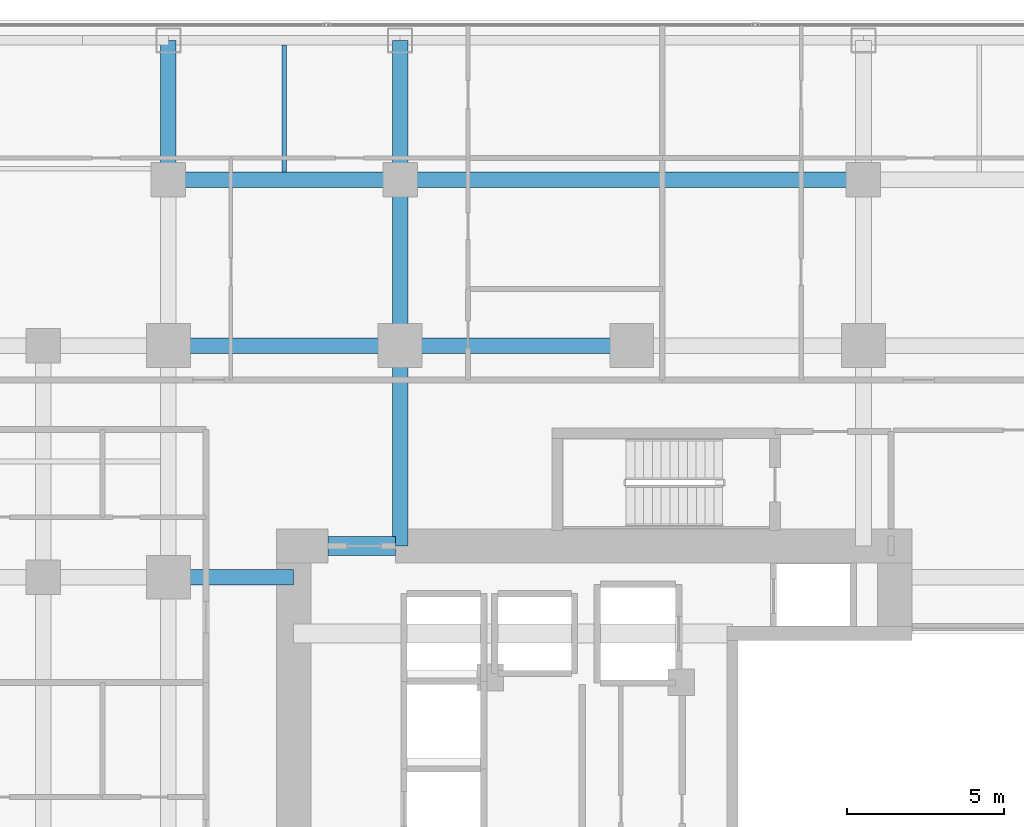
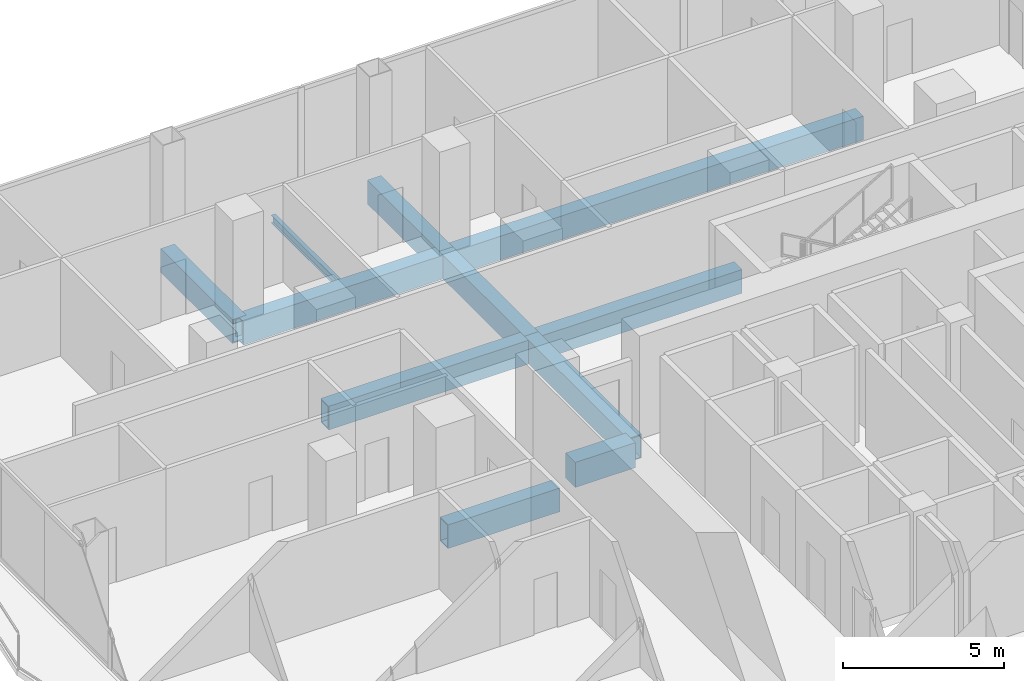
# One storey, part 14 of 29: 11 beams.
"""IFC4 building model written with IfcOpenShell, lengths in metres."""

from ifc_helpers import new_model, si_unit, direction, frame, origin, origin_2d, place, context, subcontext, project, spatial, rectangle, hollow_rectangle, i_section, extrude, material, material_profile, profile_set, type_object, element, save


model = new_model("IFC4")

# Units and contexts
model_context = context("Model", 3, precision=1e-05, world=origin(), true_north=direction((0.0, 1.0)))
body_context = subcontext(model_context, "Body", "Model", "MODEL_VIEW")
ifc_project = project(units=[si_unit("LENGTHUNIT", "METRE"), si_unit("AREAUNIT", "SQUARE_METRE"), si_unit("VOLUMEUNIT", "CUBIC_METRE"), si_unit("PLANEANGLEUNIT", "RADIAN"), si_unit("MASSUNIT", "GRAM", prefix="KILO")], contexts=[model_context])

# Site, building, storey
site_placement = place(None, origin())
site = spatial("IfcSite", under=ifc_project, at=site_placement, CompositionType="ELEMENT")
building_placement = place(site_placement, origin())
building = spatial("IfcBuilding", under=site, at=building_placement, Name="Khorvyn Point Tower", CompositionType="ELEMENT")
storey_placement = place(building_placement, frame((0.0, 0.0, 54.0)))
storey = spatial("IfcBuildingStorey", under=building, at=storey_placement, Name="L14", CompositionType="ELEMENT", Elevation=54.0)

# Beams
ifc_material_1 = material(Name="Concrete C50/60", Category="concrete")
ifc_material_profile_1 = material_profile(ifc_material_1, rectangle(XDim=0.60009765625, YDim=0.949951171875, at=origin_2d()))
ifc_profile_set_1 = profile_set([ifc_material_profile_1], Name="Concrete C50/60 RC600x950")
beam_type_1 = type_object("IfcBeamType", Name="Concrete C50/60 Beam RC600x950", PredefinedType="BEAM", material=ifc_profile_set_1)
beam_1_placement = place(storey_placement, frame((-9.699951171875, 8.39990234375, -0.7548828125), z_axis=(1.0, 0.0, 0.0), x_axis=(0.0, 1.0, 0.0)))
element("IfcBeam", 1, at=beam_1_placement, inside=storey, type_object=beam_type_1, Name="L14 Core Northwest Portal Coupling Beam", PredefinedType="BEAM", context=body_context, shape_type="SweptSolid", body=[
    extrude(rectangle(XDim=0.60009765625, YDim=0.949951171875, at=origin_2d()), origin(), (0.0, 0.0, 1.0), 2.14990234375),
])
ifc_material_2 = material(Name="Steel S355", Category="steel")
ifc_material_profile_2 = material_profile(ifc_material_2, i_section(OverallWidth=0.14990234375, OverallDepth=0.300048828125, WebThickness=0.006591796875, FlangeThickness=0.009033203125, at=origin_2d()))
ifc_profile_set_2 = profile_set([ifc_material_profile_2], Name="Steel S355 H300x150x6.5x9")
beam_type_2 = type_object("IfcBeamType", Name="Steel S355 Joist H300x150x6.5x9", PredefinedType="JOIST", material=ifc_profile_set_2)
beam_2_placement = place(storey_placement, frame((-11.10009765625, 20.35009765625, -0.429931640625), z_axis=(0.0, 1.0, 0.0), x_axis=(-1.0, 0.0, 0.0)))
element("IfcBeam", 2, at=beam_2_placement, inside=storey, type_object=beam_type_2, Name="Beam", PredefinedType="JOIST", context=body_context, shape_type="SweptSolid", body=[
    extrude(i_section(OverallWidth=0.14990234375, OverallDepth=0.300048828125, WebThickness=0.006591796875, FlangeThickness=0.009033203125, at=origin_2d()), origin(), (0.0, 0.0, 1.0), 4.0498046875),
])
ifc_material_3 = material(Name="Steel S450", Category="steel")
ifc_material_profile_3 = material_profile(ifc_material_3, hollow_rectangle(XDim=0.5, YDim=0.89990234375, WallThickness=0.0400390625, at=origin_2d()))
ifc_profile_set_3 = profile_set([ifc_material_profile_3], Name="Steel S450 BOX900x500x40")
beam_type_3 = type_object("IfcBeamType", Name="Steel S450 Beam BOX900x500x40", PredefinedType="BEAM", material=ifc_profile_set_3)
beam_3_placement = place(storey_placement, frame((-14.800048828125, 14.800048828125, -0.72998046875), z_axis=(1.0, 0.0, 0.0), x_axis=(0.0, 1.0, 0.0)))
element("IfcBeam", 3, at=beam_3_placement, inside=storey, type_object=beam_type_3, Name="L14 Radial Transfer Girder", PredefinedType="BEAM", context=body_context, shape_type="SweptSolid", body=[
    extrude(hollow_rectangle(XDim=0.5, YDim=0.89990234375, WallThickness=0.0400390625, at=origin_2d()), origin(), (0.0, 0.0, 1.0), 7.400146484375),
])
beam_4_placement = place(storey_placement, frame((-7.39990234375, 14.800048828125, -0.72998046875), z_axis=(1.0, 0.0, 0.0), x_axis=(0.0, 1.0, 0.0)))
element("IfcBeam", 4, at=beam_4_placement, inside=storey, type_object=beam_type_3, Name="L14 Radial Transfer Girder", PredefinedType="BEAM", context=body_context, shape_type="SweptSolid", body=[
    extrude(hollow_rectangle(XDim=0.5, YDim=0.89990234375, WallThickness=0.0400390625, at=origin_2d()), origin(), (0.0, 0.0, 1.0), 7.39990234375),
])
beam_5_placement = place(storey_placement, frame((-14.800048828125, 7.39990234375, -0.72998046875), z_axis=(1.0, 0.0, 0.0), x_axis=(0.0, 1.0, 0.0)))
element("IfcBeam", 5, at=beam_5_placement, inside=storey, type_object=beam_type_3, Name="Beam", PredefinedType="BEAM", context=body_context, shape_type="SweptSolid", body=[
    extrude(hollow_rectangle(XDim=0.5, YDim=0.89990234375, WallThickness=0.0400390625, at=origin_2d()), origin(), (0.0, 0.0, 1.0), 4.0),
])
beam_6_placement = place(storey_placement, frame((-14.800048828125, 20.10009765625, -0.72998046875), z_axis=(1.0, 0.0, 0.0), x_axis=(0.0, 1.0, 0.0)))
element("IfcBeam", 6, at=beam_6_placement, inside=storey, type_object=beam_type_3, Name="Beam", PredefinedType="BEAM", context=body_context, shape_type="SweptSolid", body=[
    extrude(hollow_rectangle(XDim=0.5, YDim=0.89990234375, WallThickness=0.0400390625, at=origin_2d()), origin(), (0.0, 0.0, 1.0), 7.400146484375),
])
beam_7_placement = place(storey_placement, frame((-7.39990234375, 20.10009765625, -0.72998046875), z_axis=(1.0, 0.0, 0.0), x_axis=(0.0, 1.0, 0.0)))
element("IfcBeam", 7, at=beam_7_placement, inside=storey, type_object=beam_type_3, Name="Beam", PredefinedType="BEAM", context=body_context, shape_type="SweptSolid", body=[
    extrude(hollow_rectangle(XDim=0.5, YDim=0.89990234375, WallThickness=0.0400390625, at=origin_2d()), origin(), (0.0, 0.0, 1.0), 14.7998046875),
])
beam_8_placement = place(storey_placement, frame((-14.800048828125, 20.10009765625, -0.72998046875), z_axis=(0.0, 1.0, 0.0), x_axis=(-1.0, 0.0, 0.0)))
element("IfcBeam", 8, at=beam_8_placement, inside=storey, type_object=beam_type_3, Name="L14 Radial Transfer Girder", PredefinedType="BEAM", context=body_context, shape_type="SweptSolid", body=[
    extrude(hollow_rectangle(XDim=0.5, YDim=0.89990234375, WallThickness=0.0400390625, at=origin_2d()), origin(), (0.0, 0.0, 1.0), 4.449951171875),
])
beam_9_placement = place(storey_placement, frame((-7.39990234375, 8.39990234375, -0.72998046875), z_axis=(0.0, 1.0, 0.0), x_axis=(-1.0, 0.0, 0.0)))
element("IfcBeam", 9, at=beam_9_placement, inside=storey, type_object=beam_type_3, Name="Beam", PredefinedType="BEAM", context=body_context, shape_type="SweptSolid", body=[
    extrude(hollow_rectangle(XDim=0.5, YDim=0.89990234375, WallThickness=0.0400390625, at=origin_2d()), origin(), (0.0, 0.0, 1.0), 6.400146484375),
])
beam_10_placement = place(storey_placement, frame((-7.39990234375, 14.800048828125, -0.72998046875), z_axis=(0.0, 1.0, 0.0), x_axis=(-1.0, 0.0, 0.0)))
element("IfcBeam", 10, at=beam_10_placement, inside=storey, type_object=beam_type_3, Name="Beam", PredefinedType="BEAM", context=body_context, shape_type="SweptSolid", body=[
    extrude(hollow_rectangle(XDim=0.5, YDim=0.89990234375, WallThickness=0.0400390625, at=origin_2d()), origin(), (0.0, 0.0, 1.0), 5.300048828125),
])
beam_11_placement = place(storey_placement, frame((-7.39990234375, 20.10009765625, -0.72998046875), z_axis=(0.0, 1.0, 0.0), x_axis=(-1.0, 0.0, 0.0)))
element("IfcBeam", 11, at=beam_11_placement, inside=storey, type_object=beam_type_3, Name="Beam", PredefinedType="BEAM", context=body_context, shape_type="SweptSolid", body=[
    extrude(hollow_rectangle(XDim=0.5, YDim=0.89990234375, WallThickness=0.0400390625, at=origin_2d()), origin(), (0.0, 0.0, 1.0), 4.449951171875),
])

save(model, "model.ifc")
